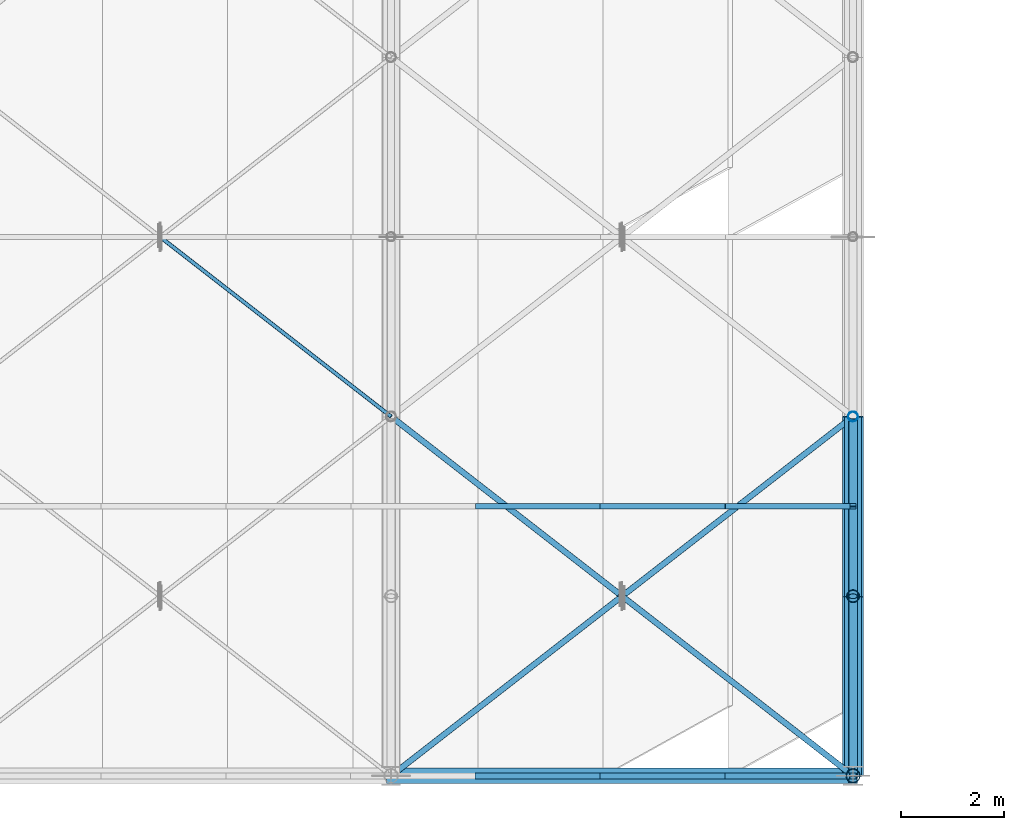
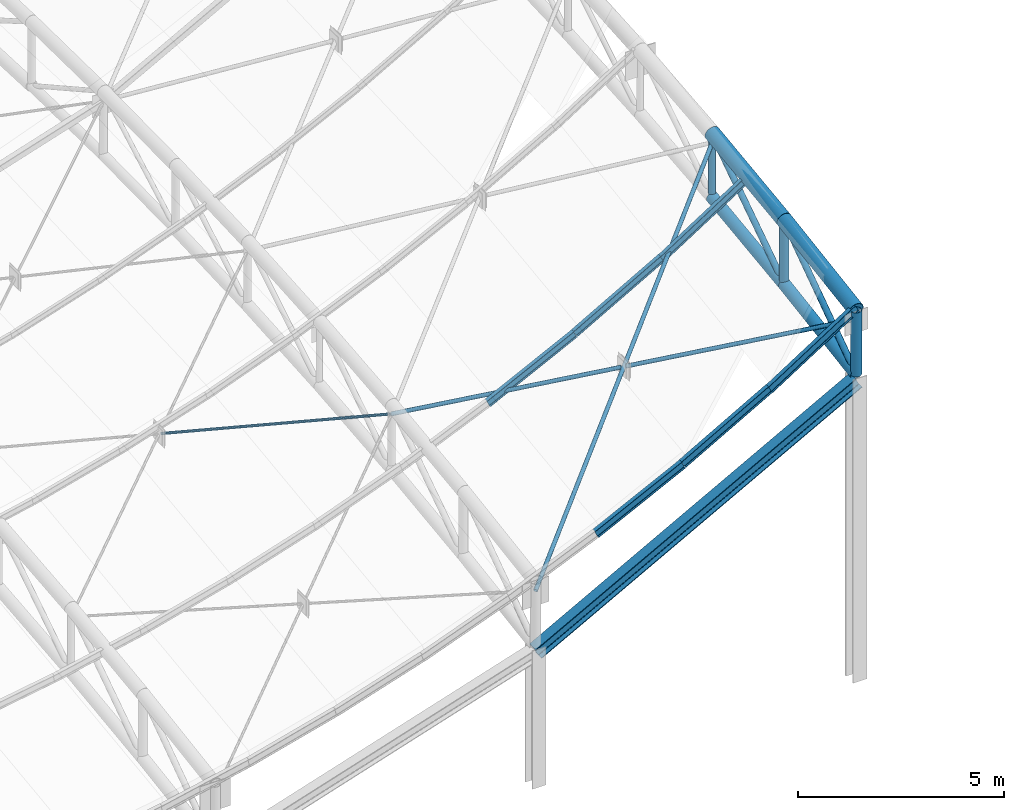
# One storey, part 30 of 262: 19 members, 1 beam.
"""IFC4 building model written with IfcOpenShell, lengths in metres."""

import ifcopenshell
import ifcopenshell.guid

model = None  # the IFC model being written
_history = None  # IfcOwnerHistory: only IFC2X3 demands one
_inside = {}  # id of a spatial element -> (the spatial element, [elements in it])
_under = {}  # id of a project, library or spatial element -> (it, [spatial elements below it])
_declared = {}  # id of a project -> (the project, [libraries it declares])
_typed = {}  # id of a type object -> (the type object, [elements of that type])
_made_of = {}  # id of a material, layer set ... -> (it, [elements and type objects made of it])


def new_model(schema):
    """Start an empty IFC model of exactly this schema.

    Asked for "IFC4X3", IfcOpenShell would pick the latest addendum, in which some entities
    have other attributes; the version numbers below select the first issue.
    IFC2X3 requires an IfcOwnerHistory on every rooted entity: one is made here for all.
    """
    global model, _history
    if schema == "IFC4X3":
        model = ifcopenshell.file(schema_version=(4, 3, 0, 0))
    else:
        model = ifcopenshell.file(schema=schema)
    _inside.clear()
    _under.clear()
    _declared.clear()
    _typed.clear()
    _made_of.clear()
    _history = None
    if model.schema == "IFC2X3":
        org = make("IfcOrganization", Name="unknown")
        user = make(
            "IfcPersonAndOrganization",
            ThePerson=make("IfcPerson", FamilyName="unknown"),
            TheOrganization=org,
        )
        app = make(
            "IfcApplication",
            ApplicationDeveloper=org,
            Version="unknown",
            ApplicationFullName="unknown",
            ApplicationIdentifier="unknown",
        )
        _history = make(
            "IfcOwnerHistory",
            OwningUser=user,
            OwningApplication=app,
            ChangeAction="ADDED",
            CreationDate=0,
        )
    return model


def make(cls, **values):
    """One entity of the class cls with the attributes given. An attribute that is None is left unset."""
    return model.create_entity(
        cls, **{name: value for name, value in values.items() if value is not None}
    )


def rooted(cls, **values):
    """An entity with a GlobalId (a new one), such as an element, a storey or a relation."""
    return make(cls, GlobalId=ifcopenshell.guid.new(), OwnerHistory=_history, **values)


def si_unit(unit_type, name, prefix=None):
    """IfcSIUnit, for example si_unit("LENGTHUNIT", "METRE", prefix="MILLI")."""
    return make("IfcSIUnit", UnitType=unit_type, Prefix=prefix, Name=name)


def derived_unit(unit_type, elements):
    """IfcDerivedUnit: a product of units, each with its exponent."""
    return make(
        "IfcDerivedUnit",
        Elements=[
            make("IfcDerivedUnitElement", Unit=unit, Exponent=power)
            for unit, power in elements
        ],
        UnitType=unit_type,
    )


def assignment(units):
    """IfcUnitAssignment: the units of a project."""
    return None if units is None else make("IfcUnitAssignment", Units=units)


def point(xyz):
    """IfcCartesianPoint."""
    return None if xyz is None else make("IfcCartesianPoint", Coordinates=xyz)


def direction(xyz):
    """IfcDirection."""
    return None if xyz is None else make("IfcDirection", DirectionRatios=xyz)


def frame(location, z_axis=None, x_axis=None):
    """IfcAxis2Placement3D, a coordinate frame: its origin and axes. An axis left out is left unset."""
    return make(
        "IfcAxis2Placement3D",
        Location=point(location),
        Axis=direction(z_axis),
        RefDirection=direction(x_axis),
    )


def frame_2d(location, x_axis=None):
    """IfcAxis2Placement2D, a coordinate frame in the plane: its origin and x axis."""
    return make(
        "IfcAxis2Placement2D", Location=point(location), RefDirection=direction(x_axis)
    )


def origin():
    """The frame at (0, 0, 0) with its axes left unset."""
    return frame((0.0, 0.0, 0.0))


def origin_2d():
    """The frame at (0, 0) in the plane with its x axis left unset."""
    return frame_2d((0.0, 0.0))


def place(relative_to, where):
    """IfcLocalPlacement: puts the frame where relative to a parent placement (None: the world)."""
    return make(
        "IfcLocalPlacement", PlacementRelTo=relative_to, RelativePlacement=where
    )


def context(
    kind, dimensions, precision=None, world=None, true_north=None, identifier=None
):
    """IfcGeometricRepresentationContext, for example the 3D "Model" context."""
    return make(
        "IfcGeometricRepresentationContext",
        ContextIdentifier=identifier,
        ContextType=kind,
        CoordinateSpaceDimension=dimensions,
        Precision=precision,
        WorldCoordinateSystem=world,
        TrueNorth=true_north,
    )


def subcontext(parent, identifier, kind, view, scale=None):
    """IfcGeometricRepresentationSubContext, for example "Body" below "Model"."""
    return make(
        "IfcGeometricRepresentationSubContext",
        ContextIdentifier=identifier,
        ContextType=kind,
        ParentContext=parent,
        TargetScale=scale,
        TargetView=view,
    )


def project(units=None, contexts=None):
    """IfcProject with its units and contexts."""
    return rooted(
        "IfcProject",
        Name="project",
        RepresentationContexts=contexts,
        UnitsInContext=assignment(units),
    )


def spatial(cls, under=None, at=None, **own):
    """A site, building, storey or space (cls), placed at a placement, below another one or the project."""
    s = rooted(cls, ObjectPlacement=at, **own)
    if under is not None:
        _under.setdefault(under.id(), (under, []))[1].append(s)
    return s


def profile(cls, at=None, kind="AREA", **sizes):
    """A parametric profile (cls). Its sizes go by their IFC names, for example OverallWidth=200.0."""
    return make(cls, ProfileType=kind, Position=at, **sizes)


def hollow_circle(**sizes):
    """IfcCircleHollowProfileDef."""
    return profile("IfcCircleHollowProfileDef", **sizes)


def i_section(**sizes):
    """IfcIShapeProfileDef."""
    return profile("IfcIShapeProfileDef", **sizes)


def extrude(swept, where, along, depth):
    """IfcExtrudedAreaSolid: the profile swept, set in the frame where, extruded along a direction by depth."""
    return make(
        "IfcExtrudedAreaSolid",
        SweptArea=swept,
        Position=where,
        ExtrudedDirection=direction(along),
        Depth=depth,
    )


def shape(context_of_items, identifier, shape_type, items):
    """IfcShapeRepresentation: the items that make up one representation, for example the "Body"."""
    return make(
        "IfcShapeRepresentation",
        ContextOfItems=context_of_items,
        RepresentationIdentifier=identifier,
        RepresentationType=shape_type,
        Items=items,
    )


def material(Name=None, Category=None):
    """IfcMaterial."""
    return make("IfcMaterial", Name=Name, Category=Category)


def material_profile(
    of_material, cross_section, Name=None, Category=None, Priority=None
):
    """IfcMaterialProfile: a cross section and its material."""
    return make(
        "IfcMaterialProfile",
        Name=Name,
        Material=of_material,
        Profile=cross_section,
        Priority=Priority,
        Category=Category,
    )


def profile_set(profiles, Name=None, composite=None):
    """IfcMaterialProfileSet."""
    return make(
        "IfcMaterialProfileSet",
        Name=Name,
        MaterialProfiles=profiles,
        CompositeProfile=composite,
    )


def made_of(thing, what):
    """Note that an element or type object is made of a material, layer set ...; save() writes the relation."""
    if what is not None:
        _made_of.setdefault(what.id(), (what, []))[1].append(thing)
    return thing


def type_object(cls, material=None, **own):
    """A type object (cls), such as IfcWallType, which elements share."""
    return made_of(rooted(cls, **own), material)


def element(
    cls,
    number,
    at=None,
    inside=None,
    cuts=None,
    type_object=None,
    material=None,
    context=None,
    identifier="Body",
    shape_type=None,
    held_by="IfcProductDefinitionShape",
    body=None,
    shapes=None,
    **own,
):
    """One element of the class cls, such as IfcWall. Its Tag is "e" and its number.

    at: its placement. inside: the storey or other place that contains it. cuts: it is an
    opening in that element (IfcRelVoidsElement). A single representation is given by context,
    identifier, shape_type and body (its items); several are given by shapes. held_by: the class
    of the entity that holds the representations. save() writes the other relations.
    """
    e = rooted(cls, Tag="e%d" % number, ObjectPlacement=at, **own)
    if body is not None:
        shapes = [shape(context, identifier, shape_type, body)]
    if shapes is not None:
        e.Representation = make(held_by, Representations=shapes)
    if inside is not None:
        _inside.setdefault(inside.id(), (inside, []))[1].append(e)
    if cuts is not None:
        rooted(
            "IfcRelVoidsElement", RelatingBuildingElement=cuts, RelatedOpeningElement=e
        )
    if type_object is not None:
        _typed.setdefault(type_object.id(), (type_object, []))[1].append(e)
    return made_of(e, material)


def aggregate(whole, parts):
    """IfcRelAggregates: a whole, such as a stair, and the parts it consists of."""
    return rooted("IfcRelAggregates", RelatingObject=whole, RelatedObjects=parts)


def save(model, path):
    """Write the relations noted so far, then the file.

    IfcRelAggregates (storeys below a building ...), IfcRelContainedInSpatialStructure (elements
    in a storey), IfcRelDefinesByType, IfcRelAssociatesMaterial and IfcRelDeclares: one each for
    every whole, place, type object, material and project.
    """
    for whole, parts in _under.values():
        aggregate(whole, parts)
    for where, things in _inside.values():
        rooted(
            "IfcRelContainedInSpatialStructure",
            RelatedElements=things,
            RelatingStructure=where,
        )
    for kind, things in _typed.values():
        rooted("IfcRelDefinesByType", RelatedObjects=things, RelatingType=kind)
    for what, things in _made_of.values():
        rooted("IfcRelAssociatesMaterial", RelatedObjects=things, RelatingMaterial=what)
    for by, libraries in _declared.values():
        rooted("IfcRelDeclares", RelatingContext=by, RelatedDefinitions=libraries)
    model.write(path)


model = new_model("IFC4")

# Units and contexts
model_context = context("Model", 3, precision=1e-05, world=origin(), true_north=direction((0.0, 1.0)))
body_context = subcontext(model_context, "Body", "Model", "MODEL_VIEW")
ifc_project = project(units=[si_unit("LENGTHUNIT", "METRE"), si_unit("AREAUNIT", "SQUARE_METRE"), si_unit("VOLUMEUNIT", "CUBIC_METRE"), si_unit("PLANEANGLEUNIT", "RADIAN"), si_unit("MASSUNIT", "GRAM", prefix="KILO"), derived_unit("THERMALTRANSMITTANCEUNIT", [(si_unit("POWERUNIT", "WATT"), 1), (si_unit("LENGTHUNIT", "METRE"), -2), (si_unit("THERMODYNAMICTEMPERATUREUNIT", "KELVIN"), -1)])], contexts=[model_context])

# Site, building, storey
site_placement = place(None, origin())
site = spatial("IfcSite", under=ifc_project, at=site_placement, CompositionType="ELEMENT")
building_placement = place(site_placement, origin())
building = spatial("IfcBuilding", under=site, at=building_placement, Name="Almenara Railside Exhibition Hall", CompositionType="ELEMENT")
storey_placement = place(building_placement, frame((0.0, 0.0, 21.699951171875)))
storey = spatial("IfcBuildingStorey", under=building, at=storey_placement, Name="RF", CompositionType="ELEMENT", Elevation=21.699951171875)

# Members
ifc_material = material(Name="Structural steel S355JR", Category="steel")
ifc_material_profile_1 = material_profile(ifc_material, i_section(OverallWidth=0.110107421875, OverallDepth=0.219970703125, WebThickness=0.005859375, FlangeThickness=0.00927734375, FilletRadius=0.011962890625, at=origin_2d()), Name="IPE 220")
ifc_profile_set_1 = profile_set([ifc_material_profile_1], Name="Structural steel S355JR")
member_type_1 = type_object("IfcMemberType", Name="Heavy Hall Roof Purlin IPE 220 S355JR", PredefinedType="PURLIN", material=ifc_profile_set_1)
member_1_placement = place(storey_placement, frame((58.68994140625, 5.25, -2.484619140625), z_axis=(0.895376074457, 0.0, 0.445310773831), x_axis=(0.0, 1.0, 0.0)))
element("IfcMember", 1, at=member_1_placement, inside=storey, type_object=member_type_1, Name="MEM-PR-V4-PR-IPE220-01-25", PredefinedType="PURLIN", context=body_context, shape_type="SweptSolid", body=[
    extrude(i_section(OverallWidth=0.110107421875, OverallDepth=0.219970703125, WebThickness=0.005859375, FlangeThickness=0.00927734375, FilletRadius=0.011962890625, at=origin_2d()), origin(), (0.0, 0.0, 1.0), 2.721435546875),
])
member_2_placement = place(storey_placement, frame((61.126708984375, 5.25, -1.26513671875), z_axis=(0.870483227181, 0.0, 0.492198081261), x_axis=(0.0, 1.0, 0.0)))
element("IfcMember", 2, at=member_2_placement, inside=storey, type_object=member_type_1, Name="MEM-PR-V4-PR-IPE220-01-26", PredefinedType="PURLIN", context=body_context, shape_type="SweptSolid", body=[
    extrude(i_section(OverallWidth=0.110107421875, OverallDepth=0.219970703125, WebThickness=0.005859375, FlangeThickness=0.00927734375, FilletRadius=0.011962890625, at=origin_2d()), origin(), (0.0, 0.0, 1.0), 2.799072265625),
])
member_3_placement = place(storey_placement, frame((63.563232421875, 5.25, 0.101318359375), z_axis=(0.842226955435, 0.0, 0.539123135785), x_axis=(0.0, 1.0, 0.0)))
element("IfcMember", 3, at=member_3_placement, inside=storey, type_object=member_type_1, Name="MEM-PR-V4-PR-IPE220-01-27", PredefinedType="PURLIN", context=body_context, shape_type="SweptSolid", body=[
    extrude(i_section(OverallWidth=0.110107421875, OverallDepth=0.219970703125, WebThickness=0.005859375, FlangeThickness=0.00927734375, FilletRadius=0.011962890625, at=origin_2d()), origin(), (0.0, 0.0, 1.0), 2.893310546875),
])
ifc_material_profile_2 = material_profile(ifc_material, hollow_circle(Radius=0.0380859375, WallThickness=0.003662109375, at=origin_2d()), Name="CHS 76.1x3.6")
ifc_profile_set_2 = profile_set([ifc_material_profile_2], Name="Structural steel S355JR")
member_type_2 = type_object("IfcMemberType", Name="Lantern Cross-Tie Brace CHS 76.1x3.6 S355JR", PredefinedType="BRACE", material=ifc_profile_set_2)
member_4_placement = place(storey_placement, frame((52.53271484375, 10.474609375, -4.406494140625), z_axis=(0.774135854289, -0.602115066031, 0.195374323702), x_axis=(0.613946586515, 0.789347571673, 0.0)))
element("IfcMember", 4, at=member_4_placement, inside=storey, type_object=member_type_2, Name="MEM-WB-V4-WB-CHS76-05-02-S2", PredefinedType="BRACE", context=body_context, shape_type="SweptSolid", body=[
    extrude(hollow_circle(Radius=0.0380859375, WallThickness=0.003662109375, at=origin_2d()), origin(), (0.0, 0.0, 1.0), 5.770751953125),
])
ifc_material_profile_3 = material_profile(ifc_material, hollow_circle(Radius=0.203125, WallThickness=0.012451171875, at=origin_2d()), Name="CHS 406.4x12.5")
ifc_profile_set_3 = profile_set([ifc_material_profile_3], Name="Structural steel S355JR")
member_type_3 = type_object("IfcMemberType", Name="Plenary Gable Top Chord CHS 406.4x12.5 S355JR", PredefinedType="CHORD", material=ifc_profile_set_3)
member_5_placement = place(storey_placement, frame((66.0, 0.0, 0.900146484375), z_axis=(0.0, 0.987885578074, 0.155184034725), x_axis=(-1.0, 0.0, 0.0)))
element("IfcMember", 5, at=member_5_placement, inside=storey, type_object=member_type_3, Name="MEM-TC-V4-07-00", PredefinedType="CHORD", context=body_context, shape_type="SweptSolid", body=[
    extrude(hollow_circle(Radius=0.203125, WallThickness=0.012451171875, at=origin_2d()), origin(), (0.0, 0.0, 1.0), 3.54296875),
])
member_6_placement = place(storey_placement, frame((66.0, 3.5, 1.449951171875), z_axis=(0.0, 0.991828773415, 0.127576189884), x_axis=(-1.0, 0.0, 0.0)))
element("IfcMember", 6, at=member_6_placement, inside=storey, type_object=member_type_3, Name="MEM-TC-V4-07-01", PredefinedType="CHORD", context=body_context, shape_type="SweptSolid", body=[
    extrude(hollow_circle(Radius=0.203125, WallThickness=0.012451171875, at=origin_2d()), origin(), (0.0, 0.0, 1.0), 3.52880859375),
])
ifc_material_profile_4 = material_profile(ifc_material, hollow_circle(Radius=0.161865234375, WallThickness=0.010009765625, at=origin_2d()), Name="CHS 323.9x10")
ifc_profile_set_4 = profile_set([ifc_material_profile_4], Name="Structural steel S355JR")
member_type_4 = type_object("IfcMemberType", Name="Plenary Truss Bottom Chord CHS 323.9x10 S355JR", PredefinedType="CHORD", material=ifc_profile_set_4)
member_7_placement = place(storey_placement, frame((66.0, 0.0, -1.0), z_axis=(0.0, 0.987875011802, 0.155251283593), x_axis=(-1.0, 0.0, 0.0)))
element("IfcMember", 7, at=member_7_placement, inside=storey, type_object=member_type_4, Name="MEM-BC-V4-07-00", PredefinedType="CHORD", context=body_context, shape_type="SweptSolid", body=[
    extrude(hollow_circle(Radius=0.161865234375, WallThickness=0.010009765625, at=origin_2d()), origin(), (0.0, 0.0, 1.0), 3.54296875),
])
member_8_placement = place(storey_placement, frame((66.0, 3.5, -0.449951171875), z_axis=(0.0, 0.991837525329, 0.127508130523), x_axis=(-1.0, 0.0, 0.0)))
element("IfcMember", 8, at=member_8_placement, inside=storey, type_object=member_type_4, Name="MEM-BC-V4-07-01", PredefinedType="CHORD", context=body_context, shape_type="SweptSolid", body=[
    extrude(hollow_circle(Radius=0.161865234375, WallThickness=0.010009765625, at=origin_2d()), origin(), (0.0, 0.0, 1.0), 3.52880859375),
])
ifc_material_profile_5 = material_profile(ifc_material, hollow_circle(Radius=0.05712890625, WallThickness=0.00439453125, at=origin_2d()), Name="CHS 114.3x4.5")
ifc_profile_set_5 = profile_set([ifc_material_profile_5], Name="Structural steel S355JR")
member_type_5 = type_object("IfcMemberType", Name="Roof Wind Plan X-Brace CHS 114.3x4.5 S355JR", PredefinedType="BRACE", material=ifc_profile_set_5)
member_9_placement = place(storey_placement, frame((57.0, 0.0, -4.279052734375), z_axis=(0.70107363428, 0.545279493329, 0.459528055152), x_axis=(-0.613940613515, 0.789352217376, 0.0)))
element("IfcMember", 9, at=member_9_placement, inside=storey, type_object=member_type_5, Name="MEM-WB-V4-WB-CHS114-06-00-C", PredefinedType="BRACE", context=body_context, shape_type="SweptSolid", body=[
    extrude(hollow_circle(Radius=0.05712890625, WallThickness=0.00439453125, at=origin_2d()), origin(), (0.0, 0.0, 1.0), 12.83740234375),
])
member_10_placement = place(storey_placement, frame((57.0, 7.0, -3.279052734375), z_axis=(0.746882221298, -0.58092658824, 0.323560267314), x_axis=(0.613952594111, 0.789342898989, 0.0)))
element("IfcMember", 10, at=member_10_placement, inside=storey, type_object=member_type_5, Name="MEM-WB-V4-WB-CHS114-06-00-S1", PredefinedType="BRACE", context=body_context, shape_type="SweptSolid", body=[
    extrude(hollow_circle(Radius=0.05712890625, WallThickness=0.00439453125, at=origin_2d()), origin(), (0.0, 0.0, 1.0), 5.9638671875),
])
member_11_placement = place(storey_placement, frame((61.545654296875, 3.464599609375, -1.309814453125), z_axis=(0.746872328153, -0.58091889333, 0.323596917185), x_axis=(0.613952594111, 0.789342898989, 0.0)))
element("IfcMember", 11, at=member_11_placement, inside=storey, type_object=member_type_5, Name="MEM-WB-V4-WB-CHS114-06-00-S2", PredefinedType="BRACE", context=body_context, shape_type="SweptSolid", body=[
    extrude(hollow_circle(Radius=0.05712890625, WallThickness=0.00439453125, at=origin_2d()), origin(), (0.0, 0.0, 1.0), 5.964111328125),
])
ifc_material_profile_6 = material_profile(ifc_material, i_section(OverallWidth=0.1201171875, OverallDepth=0.239990234375, WebThickness=0.006103515625, FlangeThickness=0.009765625, FilletRadius=0.014892578125, at=origin_2d()), Name="IPE 240")
ifc_profile_set_6 = profile_set([ifc_material_profile_6], Name="Structural steel S355JR")
member_type_6 = type_object("IfcMemberType", Name="Scroll Roof Purlin IPE 240 S355JR", PredefinedType="PURLIN", material=ifc_profile_set_6)
member_12_placement = place(storey_placement, frame((58.68994140625, 0.0, -3.174560546875), z_axis=(0.895376074457, 0.0, 0.445310773831), x_axis=(0.0, 1.0, 0.0)))
element("IfcMember", 12, at=member_12_placement, inside=storey, type_object=member_type_6, Name="MEM-PR-V4-PR-IPE240-00-25", PredefinedType="PURLIN", context=body_context, shape_type="SweptSolid", body=[
    extrude(i_section(OverallWidth=0.1201171875, OverallDepth=0.239990234375, WebThickness=0.006103515625, FlangeThickness=0.009765625, FilletRadius=0.014892578125, at=origin_2d()), origin(), (0.0, 0.0, 1.0), 2.721435546875),
])
member_13_placement = place(storey_placement, frame((61.126708984375, 0.0, -1.955322265625), z_axis=(0.870445855666, 0.0, 0.492264169277), x_axis=(0.0, 1.0, 0.0)))
element("IfcMember", 13, at=member_13_placement, inside=storey, type_object=member_type_6, Name="MEM-PR-V4-PR-IPE240-00-26", PredefinedType="PURLIN", context=body_context, shape_type="SweptSolid", body=[
    extrude(i_section(OverallWidth=0.1201171875, OverallDepth=0.239990234375, WebThickness=0.006103515625, FlangeThickness=0.009765625, FilletRadius=0.014892578125, at=origin_2d()), origin(), (0.0, 0.0, 1.0), 2.799072265625),
])
member_14_placement = place(storey_placement, frame((63.563232421875, 0.0, -0.589111328125), z_axis=(0.842265270347, 0.0, 0.53906327492), x_axis=(0.0, 1.0, 0.0)))
element("IfcMember", 14, at=member_14_placement, inside=storey, type_object=member_type_6, Name="MEM-PR-V4-PR-IPE240-00-27", PredefinedType="PURLIN", context=body_context, shape_type="SweptSolid", body=[
    extrude(i_section(OverallWidth=0.1201171875, OverallDepth=0.239990234375, WebThickness=0.006103515625, FlangeThickness=0.009765625, FilletRadius=0.014892578125, at=origin_2d()), origin(), (0.0, 0.0, 1.0), 2.89306640625),
])

# Beam
ifc_material_profile_7 = material_profile(ifc_material, i_section(OverallWidth=0.300048828125, OverallDepth=0.360107421875, WebThickness=0.012451171875, FlangeThickness=0.0224609375, FilletRadius=0.027099609375, at=origin_2d()), Name="HEB 360")
ifc_profile_set_7 = profile_set([ifc_material_profile_7], Name="Structural steel S355JR")
beam_type = type_object("IfcBeamType", Name="Steel Portal Girder HEB 360 S355JR", PredefinedType="USERDEFINED", material=ifc_profile_set_7)
beam_placement = place(storey_placement, frame((57.0, 0.0, -6.0791015625), z_axis=(0.878302261666, 0.0, 0.478105780296), x_axis=(0.0, 1.0, 0.0)))
element("IfcBeam", 15, at=beam_placement, inside=storey, type_object=beam_type, Name="Beam 1001", ObjectType="GIRDER", PredefinedType="USERDEFINED", context=body_context, shape_type="SweptSolid", body=[
    extrude(i_section(OverallWidth=0.300048828125, OverallDepth=0.360107421875, WebThickness=0.012451171875, FlangeThickness=0.0224609375, FilletRadius=0.027099609375, at=origin_2d()), origin(), (0.0, 0.0, 1.0), 10.2470703125),
])

# Members
ifc_material_profile_8 = material_profile(ifc_material, hollow_circle(Radius=0.084228515625, WallThickness=0.006103515625, at=origin_2d()), Name="CHS 168.3x6")
ifc_profile_set_8 = profile_set([ifc_material_profile_8], Name="Structural steel S355JR")
member_type_7 = type_object("IfcMemberType", Name="Truss End Diagonal CHS 168.3x6 S355JR", PredefinedType="BRACE", material=ifc_profile_set_8)
member_15_placement = place(storey_placement, frame((66.0, 0.0, -1.0), z_axis=(0.0, 0.819237289855, 0.573454673807), x_axis=(-1.0, 0.0, 0.0)))
element("IfcMember", 16, at=member_15_placement, inside=storey, type_object=member_type_7, Name="MEM-TD-V4-07-00", PredefinedType="BRACE", context=body_context, shape_type="SweptSolid", body=[
    extrude(hollow_circle(Radius=0.084228515625, WallThickness=0.006103515625, at=origin_2d()), origin(), (0.0, 0.0, 1.0), 4.272216796875),
])
member_16_placement = place(storey_placement, frame((66.0, 3.5, -0.449951171875), z_axis=(0.0, 0.830210410422, 0.557450154208), x_axis=(-1.0, 0.0, 0.0)))
element("IfcMember", 17, at=member_16_placement, inside=storey, type_object=member_type_7, Name="MEM-TD-V4-07-01", PredefinedType="BRACE", context=body_context, shape_type="SweptSolid", body=[
    extrude(hollow_circle(Radius=0.084228515625, WallThickness=0.006103515625, at=origin_2d()), origin(), (0.0, 0.0, 1.0), 4.2158203125),
])
ifc_material_profile_9 = material_profile(ifc_material, hollow_circle(Radius=0.122314453125, WallThickness=0.008056640625, at=origin_2d()), Name="CHS 244.5x8")
ifc_profile_set_9 = profile_set([ifc_material_profile_9], Name="Structural steel S355JR")
member_type_8 = type_object("IfcMemberType", Name="Truss Haunch Vertical Strut CHS 244.5x8 S355JR", PredefinedType="BRACE", material=ifc_profile_set_9)
member_17_placement = place(storey_placement, frame((66.0, 3.5, -0.449951171875), z_axis=(0.0, 0.0, 1.0), x_axis=(1.0, 0.0, 0.0)))
element("IfcMember", 18, at=member_17_placement, inside=storey, type_object=member_type_8, Name="MEM-TV-V4-07-01", PredefinedType="BRACE", context=body_context, shape_type="SweptSolid", body=[
    extrude(hollow_circle(Radius=0.122314453125, WallThickness=0.008056640625, at=origin_2d()), origin(), (0.0, 0.0, 1.0), 1.89990234375),
])
ifc_material_profile_10 = material_profile(ifc_material, hollow_circle(Radius=0.096923828125, WallThickness=0.00634765625, at=origin_2d()), Name="CHS 193.7x6.3")
ifc_profile_set_10 = profile_set([ifc_material_profile_10], Name="Structural steel S355JR")
member_type_9 = type_object("IfcMemberType", Name="Truss Standard Vertical Strut CHS 193.7x6.3 S355JR", PredefinedType="BRACE", material=ifc_profile_set_10)
member_18_placement = place(storey_placement, frame((66.0, 7.0, 0.0), z_axis=(0.0, 0.0, 1.0), x_axis=(1.0, 0.0, 0.0)))
element("IfcMember", 19, at=member_18_placement, inside=storey, type_object=member_type_9, Name="MEM-TV-V4-07-02", PredefinedType="BRACE", context=body_context, shape_type="SweptSolid", body=[
    extrude(hollow_circle(Radius=0.096923828125, WallThickness=0.00634765625, at=origin_2d()), origin(), (0.0, 0.0, 1.0), 1.900146484375),
])
ifc_material_profile_11 = material_profile(ifc_material, hollow_circle(Radius=0.136474609375, WallThickness=0.008056640625, at=origin_2d()), Name="CHS 273x8")
ifc_profile_set_11 = profile_set([ifc_material_profile_11], Name="Structural steel S355JR")
member_type_10 = type_object("IfcMemberType", Name="Truss Support Vertical Strut CHS 273x8 S355JR", PredefinedType="BRACE", material=ifc_profile_set_11)
member_19_placement = place(storey_placement, frame((66.0, 0.0, -1.0), z_axis=(0.0, 0.0, 1.0), x_axis=(1.0, 0.0, 0.0)))
element("IfcMember", 20, at=member_19_placement, inside=storey, type_object=member_type_10, Name="MEM-TV-V4-07-00", PredefinedType="BRACE", context=body_context, shape_type="SweptSolid", body=[
    extrude(hollow_circle(Radius=0.136474609375, WallThickness=0.008056640625, at=origin_2d()), origin(), (0.0, 0.0, 1.0), 1.900146484375),
])

save(model, "model.ifc")
